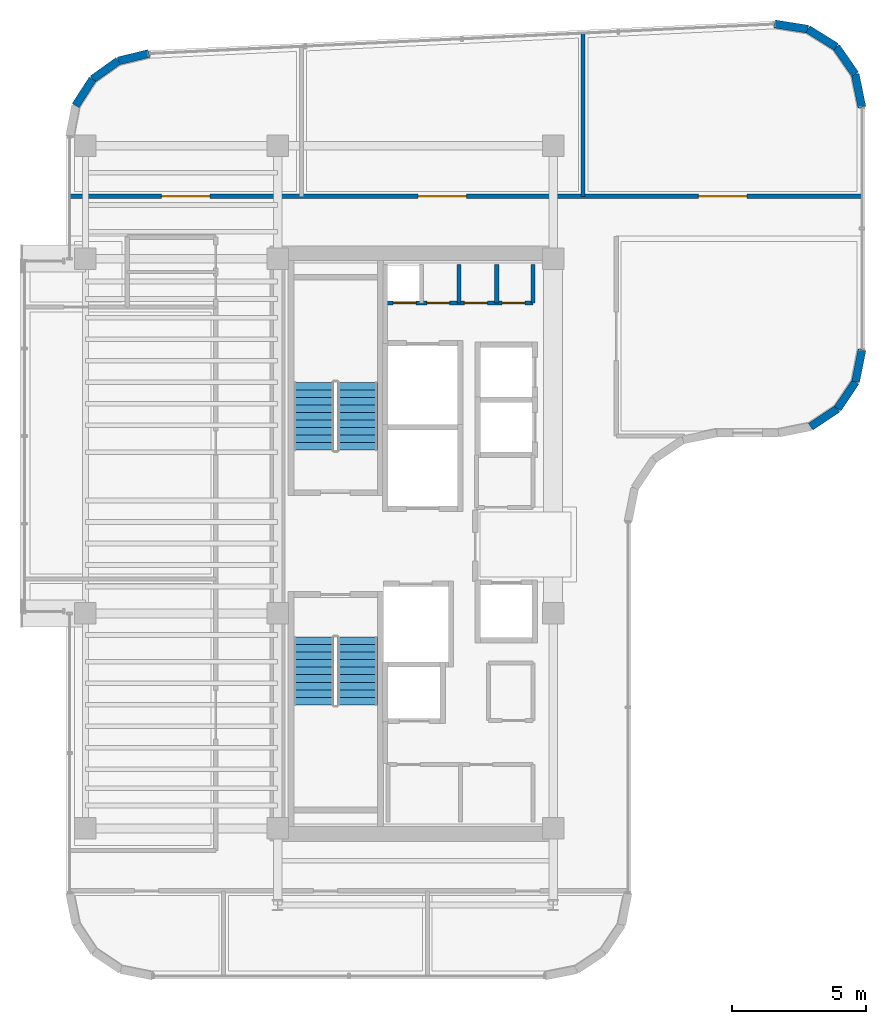
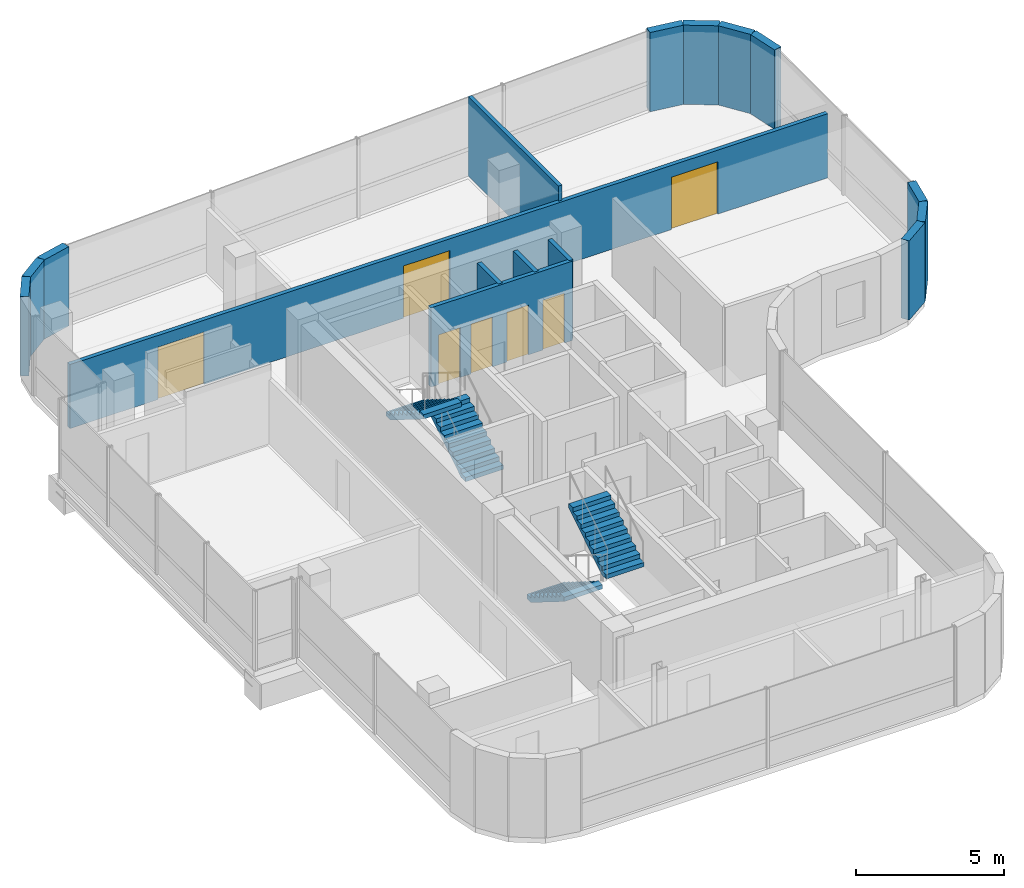
# One storey, part 16 of 18: 16 walls, 7 doors, 4 stair flights, 7 openings, 2 elements without a shape of their own.
"""IFC4 building model written with IfcOpenShell, lengths in metres."""

from ifc_helpers import new_model, si_unit, direction, frame, frame_2d, origin, place, context, subcontext, project, spatial, polyline, rectangle, outline, extrude, material, layer, layer_set, type_object, element, fill, aggregate, save


model = new_model("IFC4")

# Units and contexts
model_context = context("Model", 3, precision=1e-05, world=origin(), true_north=direction((0.0, 1.0)))
body_context = subcontext(model_context, "Body", "Model", "MODEL_VIEW")
ifc_project = project(units=[si_unit("LENGTHUNIT", "METRE"), si_unit("AREAUNIT", "SQUARE_METRE"), si_unit("VOLUMEUNIT", "CUBIC_METRE"), si_unit("PLANEANGLEUNIT", "RADIAN"), si_unit("MASSUNIT", "GRAM", prefix="KILO")], contexts=[model_context])

# Site, building, storey
site_placement = place(None, origin())
site = spatial("IfcSite", under=ifc_project, at=site_placement, CompositionType="ELEMENT")
building_placement = place(site_placement, origin())
building = spatial("IfcBuilding", under=site, at=building_placement, Name="Valdorenza Pilgrim Sanctuary Tower", CompositionType="ELEMENT")
storey_placement = place(building_placement, frame((0.0, 0.0, 273.0)))
storey = spatial("IfcBuildingStorey", under=building, at=storey_placement, Name="L71", CompositionType="ELEMENT", Elevation=273.0)

# Wall, openings, doors
ifc_material_1 = material(Name="Acoustic twin-stud gypsum partition", Category="gypsum")
ifc_layer_1 = layer(ifc_material_1, 0.159912109375, Name="Acoustic twin-stud gypsum partition")
ifc_layer_set_1 = layer_set([ifc_layer_1], Name="Acoustic twin-stud gypsum partition")
wall_type_1 = type_object("IfcWallType", Name="WAL-COR-160", PredefinedType="PARTITIONING", material=ifc_layer_set_1)
wall_1_placement = place(storey_placement, frame((-18.64990234375, 8.949951171875, 0.0), z_axis=(0.0, 0.0, 1.0), x_axis=(1.0, 0.0, 0.0)))
wall_1 = element("IfcWall", 1, at=wall_1_placement, inside=storey, type_object=wall_type_1, Name="L71 Core A North Service South Wall", PredefinedType="PARTITIONING", context=body_context, shape_type="SweptSolid", body=[
    extrude(rectangle(XDim=5.5, YDim=0.159912109375, at=frame_2d((2.75, 0.0))), origin(), (0.0, 0.0, 1.0), 3.260009765625),
])
opening_1_placement = place(wall_1_placement, frame((0.300048828125, 0.0, 0.0)))
opening_1 = element("IfcOpeningElement", 2, at=opening_1_placement, cuts=wall_1, Name="Opening DR-RS1", PredefinedType="OPENING", context=body_context, shape_type="SweptSolid", body=[
    extrude(rectangle(XDim=0.85009765625, YDim=2.050048828125, at=frame_2d((0.425048828125, 1.02490234375))), frame((0.0, 0.0947265625, 0.0), z_axis=(0.0, -1.0, 0.0), x_axis=(1.0, 0.0, 0.0)), (0.0, 0.0, 1.0), 0.189697265625),
])
opening_2_placement = place(wall_1_placement, frame((1.550048828125, 0.0, 0.0)))
opening_2 = element("IfcOpeningElement", 3, at=opening_2_placement, cuts=wall_1, Name="Opening DR-RS1", PredefinedType="OPENING", context=body_context, shape_type="SweptSolid", body=[
    extrude(rectangle(XDim=0.85009765625, YDim=2.050048828125, at=frame_2d((0.425048828125, 1.02490234375))), frame((0.0, 0.0947265625, 0.0), z_axis=(0.0, -1.0, 0.0), x_axis=(1.0, 0.0, 0.0)), (0.0, 0.0, 1.0), 0.189697265625),
])
opening_3_placement = place(wall_1_placement, frame((2.949951171875, 0.0, 0.0)))
opening_3 = element("IfcOpeningElement", 4, at=opening_3_placement, cuts=wall_1, Name="Opening DR-RS1", PredefinedType="OPENING", context=body_context, shape_type="SweptSolid", body=[
    extrude(rectangle(XDim=0.85009765625, YDim=2.050048828125, at=frame_2d((0.425048828125, 1.02490234375))), frame((0.0, 0.0947265625, 0.0), z_axis=(0.0, -1.0, 0.0), x_axis=(1.0, 0.0, 0.0)), (0.0, 0.0, 1.0), 0.189697265625),
])
opening_4_placement = place(wall_1_placement, frame((4.35009765625, 0.0, 0.0)))
opening_4 = element("IfcOpeningElement", 5, at=opening_4_placement, cuts=wall_1, Name="Opening DR-RS1", PredefinedType="OPENING", context=body_context, shape_type="SweptSolid", body=[
    extrude(rectangle(XDim=0.85009765625, YDim=2.050048828125, at=frame_2d((0.425048828125, 1.02490234375))), frame((0.0, 0.0947265625, 0.0), z_axis=(0.0, -1.0, 0.0), x_axis=(1.0, 0.0, 0.0)), (0.0, 0.0, 1.0), 0.189697265625),
])
ifc_material_2 = material(Name="Painted galvanized steel", Category="steel")
door_type_1 = type_object("IfcDoorType", Name="DR-RSR-850", OperationType="NOTDEFINED", PredefinedType="DOOR", material=ifc_material_2)
door_1_placement = place(opening_1_placement, origin())
door_1 = element("IfcDoor", 6, at=door_1_placement, inside=storey, type_object=door_type_1, Name="L71 Core Electrical and Telecom Riser Door", OperationType="SINGLE_SWING_LEFT", OverallHeight=2.050048828125, OverallWidth=0.85009765625, PredefinedType="DOOR", context=body_context, shape_type="SweptSolid", body=[
    extrude(rectangle(XDim=0.85009765625, YDim=2.050048828125, at=frame_2d((0.425048828125, 1.02490234375))), frame((0.0, 0.02490234375, 0.0), z_axis=(0.0, -1.0, 0.0), x_axis=(1.0, 0.0, 0.0)), (0.0, 0.0, 1.0), 0.050048828125),
])
fill(opening_1, door_1)
door_2_placement = place(opening_2_placement, origin())
door_2 = element("IfcDoor", 7, at=door_2_placement, inside=storey, type_object=door_type_1, Name="L71 Housekeeping and Clean Linen Room Door", OperationType="SINGLE_SWING_RIGHT", OverallHeight=2.050048828125, OverallWidth=0.85009765625, PredefinedType="DOOR", context=body_context, shape_type="SweptSolid", body=[
    extrude(rectangle(XDim=0.85009765625, YDim=2.050048828125, at=frame_2d((0.425048828125, 1.02490234375))), frame((0.0, 0.02490234375, 0.0), z_axis=(0.0, -1.0, 0.0), x_axis=(1.0, 0.0, 0.0)), (0.0, 0.0, 1.0), 0.050048828125),
])
fill(opening_2, door_2)
door_3_placement = place(opening_3_placement, origin())
door_3 = element("IfcDoor", 8, at=door_3_placement, inside=storey, type_object=door_type_1, Name="L71 Core IT Server Closet Door", OperationType="SINGLE_SWING_LEFT", OverallHeight=2.050048828125, OverallWidth=0.85009765625, PredefinedType="DOOR", context=body_context, shape_type="SweptSolid", body=[
    extrude(rectangle(XDim=0.85009765625, YDim=2.050048828125, at=frame_2d((0.425048828125, 1.02490234375))), frame((0.0, 0.02490234375, 0.0), z_axis=(0.0, -1.0, 0.0), x_axis=(1.0, 0.0, 0.0)), (0.0, 0.0, 1.0), 0.050048828125),
])
fill(opening_3, door_3)
door_4_placement = place(opening_4_placement, origin())
door_4 = element("IfcDoor", 9, at=door_4_placement, inside=storey, type_object=door_type_1, Name="L71 Core Staff Washroom Door", OperationType="SINGLE_SWING_RIGHT", OverallHeight=2.050048828125, OverallWidth=0.85009765625, PredefinedType="DOOR", context=body_context, shape_type="SweptSolid", body=[
    extrude(rectangle(XDim=0.85009765625, YDim=2.050048828125, at=frame_2d((0.425048828125, 1.02490234375))), frame((0.0, 0.02490234375, 0.0), z_axis=(0.0, -1.0, 0.0), x_axis=(1.0, 0.0, 0.0)), (0.0, 0.0, 1.0), 0.050048828125),
])
fill(opening_4, door_4)

# Walls
for number, where, z_axis, x_axis, name in (
    (10, (-13.14990234375, 8.949951171875, 0.0), (0.0, 0.0, 1.0), (0.0, 1.0, 0.0), "L71 Core A North Service East Wall"),
    (11, (-15.89990234375, 8.949951171875, 0.0), (0.0, 0.0, 1.0), (0.0, 1.0, 0.0), "L71 Core A Split D1"),
    (12, (-14.5, 8.949951171875, 0.0), (0.0, 0.0, 1.0), (0.0, 1.0, 0.0), "L71 Core A Split D2"),
):
    element("IfcWall", number, at=place(storey_placement, frame(where, z_axis=z_axis, x_axis=x_axis)), inside=storey, type_object=wall_type_1, Name=name, PredefinedType="PARTITIONING", context=body_context, shape_type="SweptSolid", body=[
        extrude(rectangle(XDim=1.429931640625, YDim=0.159912109375, at=frame_2d((0.71484375, 0.0))), origin(), (0.0, 0.0, 1.0), 3.260009765625),
    ])

# Wall, openings, doors
wall_2_placement = place(storey_placement, frame((-30.389892578125, 12.919921875, 0.0), z_axis=(0.0, 0.0, 1.0), x_axis=(1.0, 0.0, 0.0)))
wall_2 = element("IfcWall", 13, at=wall_2_placement, inside=storey, type_object=wall_type_1, Name="L71 North Corridor Wall", PredefinedType="PARTITIONING", context=body_context, shape_type="SweptSolid", body=[
    extrude(rectangle(XDim=29.47998046875, YDim=0.159912109375, at=frame_2d((14.739990234375, 0.0))), origin(), (0.0, 0.0, 1.0), 2.634033203125),
])
opening_5_placement = place(wall_2_placement, frame((3.4150390625, 0.0, 0.0)))
opening_5 = element("IfcOpeningElement", 14, at=opening_5_placement, cuts=wall_2, Name="Opening DR-HL1", PredefinedType="OPENING", context=body_context, shape_type="SweptSolid", body=[
    extrude(rectangle(XDim=1.800048828125, YDim=2.14990234375, at=frame_2d((0.89990234375, 1.074951171875))), frame((0.0, 0.0947265625, 0.0), z_axis=(0.0, -1.0, 0.0), x_axis=(1.0, 0.0, 0.0)), (0.0, 0.0, 1.0), 0.189697265625),
])
opening_6_placement = place(wall_2_placement, frame((12.969970703125, 0.0, 0.0)))
opening_6 = element("IfcOpeningElement", 15, at=opening_6_placement, cuts=wall_2, Name="Opening DR-HL1", PredefinedType="OPENING", context=body_context, shape_type="SweptSolid", body=[
    extrude(rectangle(XDim=1.800048828125, YDim=2.14990234375, at=frame_2d((0.89990234375, 1.074951171875))), frame((0.0, 0.0947265625, 0.0), z_axis=(0.0, -1.0, 0.0), x_axis=(1.0, 0.0, 0.0)), (0.0, 0.0, 1.0), 0.189697265625),
])
opening_7_placement = place(wall_2_placement, frame((23.39501953125, 0.0, 0.0)))
opening_7 = element("IfcOpeningElement", 16, at=opening_7_placement, cuts=wall_2, Name="Opening DR-HL1", PredefinedType="OPENING", context=body_context, shape_type="SweptSolid", body=[
    extrude(rectangle(XDim=1.800048828125, YDim=2.14990234375, at=frame_2d((0.89990234375, 1.074951171875))), frame((0.0, 0.0947265625, 0.0), z_axis=(0.0, -1.0, 0.0), x_axis=(1.0, 0.0, 0.0)), (0.0, 0.0, 1.0), 0.189697265625),
])
ifc_material_3 = material(Name="Acoustic oak and vision-glass double door", Category="glass")
door_type_2 = type_object("IfcDoorType", Name="DR-HALL-1800", OperationType="NOTDEFINED", PredefinedType="DOOR", material=ifc_material_3)
door_5_placement = place(opening_5_placement, frame((1.800048828125, 0.0, 0.0), z_axis=(0.0, 0.0, 1.0), x_axis=(-1.0, 0.0, 0.0)))
door_5 = element("IfcDoor", 17, at=door_5_placement, inside=storey, type_object=door_type_2, Name="L71 Sacred Art Exhibition Gallery L71-N1 Door", OperationType="DOUBLE_DOOR_SINGLE_SWING", OverallHeight=2.14990234375, OverallWidth=1.800048828125, PredefinedType="DOOR", context=body_context, shape_type="SweptSolid", body=[
    extrude(rectangle(XDim=1.800048828125, YDim=2.14990234375, at=frame_2d((0.89990234375, 1.074951171875))), frame((0.0, 0.02490234375, 0.0), z_axis=(0.0, -1.0, 0.0), x_axis=(1.0, 0.0, 0.0)), (0.0, 0.0, 1.0), 0.050048828125),
])
fill(opening_5, door_5)
door_6_placement = place(opening_6_placement, origin())
door_6 = element("IfcDoor", 18, at=door_6_placement, inside=storey, type_object=door_type_2, Name="L71 Sacred Art Exhibition Gallery L71-N2 Door", OperationType="DOUBLE_DOOR_SINGLE_SWING", OverallHeight=2.14990234375, OverallWidth=1.800048828125, PredefinedType="DOOR", context=body_context, shape_type="SweptSolid", body=[
    extrude(rectangle(XDim=1.800048828125, YDim=2.14990234375, at=frame_2d((0.89990234375, 1.074951171875))), frame((0.0, 0.02490234375, 0.0), z_axis=(0.0, -1.0, 0.0), x_axis=(1.0, 0.0, 0.0)), (0.0, 0.0, 1.0), 0.050048828125),
])
fill(opening_6, door_6)
door_7_placement = place(opening_7_placement, frame((1.800048828125, 0.0, 0.0), z_axis=(0.0, 0.0, 1.0), x_axis=(-1.0, 0.0, 0.0)))
door_7 = element("IfcDoor", 19, at=door_7_placement, inside=storey, type_object=door_type_2, Name="L71 Sacred Art Exhibition Gallery L71-N3 Door", OperationType="DOUBLE_DOOR_SINGLE_SWING", OverallHeight=2.14990234375, OverallWidth=1.800048828125, PredefinedType="DOOR", context=body_context, shape_type="SweptSolid", body=[
    extrude(rectangle(XDim=1.800048828125, YDim=2.14990234375, at=frame_2d((0.89990234375, 1.074951171875))), frame((0.0, 0.02490234375, 0.0), z_axis=(0.0, -1.0, 0.0), x_axis=(1.0, 0.0, 0.0)), (0.0, 0.0, 1.0), 0.050048828125),
])
fill(opening_7, door_7)

# Walls
ifc_material_4 = material(Name="Honed travertine limestone", Category="masonry")
ifc_layer_2 = layer(ifc_material_4, 0.300048828125, Name="Honed travertine limestone")
ifc_layer_set_2 = layer_set([ifc_layer_2], Name="Honed travertine limestone")
wall_type_2 = type_object("IfcWallType", Name="WAL-EXT-300", PredefinedType="SOLIDWALL", material=ifc_layer_set_2)
wall_3_placement = place(storey_placement, frame((-30.16650390625, 16.29541015625, 0.0), z_axis=(0.0, 0.0, 1.0), x_axis=(0.540842020947, 0.841124193195, 0.0)))
element("IfcWall", 20, at=wall_3_placement, inside=storey, type_object=wall_type_2, Name="L71 Rounded Wind-Corner Stone Pier 3", PredefinedType="SOLIDWALL", context=body_context, shape_type="SweptSolid", body=[
    extrude(rectangle(XDim=1.169189453125, YDim=0.300048828125, at=frame_2d((0.58447265625, 0.0))), origin(), (0.0, 0.0, 1.0), 3.260009765625),
])
wall_4_placement = place(storey_placement, frame((-29.5341796875, 17.27880859375, 0.0), z_axis=(0.0, 0.0, 1.0), x_axis=(0.81466371606, 0.579933642527, 0.0)))
element("IfcWall", 21, at=wall_4_placement, inside=storey, type_object=wall_type_2, Name="L71 Rounded Wind-Corner Stone Pier 4", PredefinedType="SOLIDWALL", context=body_context, shape_type="SweptSolid", body=[
    extrude(rectangle(XDim=1.1689453125, YDim=0.300048828125, at=frame_2d((0.58447265625, 0.0))), origin(), (0.0, 0.0, 1.0), 3.260009765625),
])
wall_5_placement = place(storey_placement, frame((-28.581787109375, 17.956787109375, 0.0), z_axis=(0.0, 0.0, 1.0), x_axis=(0.971929016595, 0.235274279725, 0.0)))
element("IfcWall", 22, at=wall_5_placement, inside=storey, type_object=wall_type_2, Name="L71 Rounded Wind-Corner Stone Pier 5", PredefinedType="SOLIDWALL", context=body_context, shape_type="SweptSolid", body=[
    extrude(rectangle(XDim=1.179931640625, YDim=0.300048828125, at=frame_2d((0.58984375, 0.0))), origin(), (0.0, 0.0, 1.0), 3.260009765625),
])
wall_6_placement = place(storey_placement, frame((-4.15673828125, 19.331787109375, 0.0), z_axis=(0.0, 0.0, 1.0), x_axis=(0.987969236552, -0.15465053387, 0.0)))
element("IfcWall", 23, at=wall_6_placement, inside=storey, type_object=wall_type_2, Name="L71 Rounded Wind-Corner Stone Pier 7", PredefinedType="SOLIDWALL", context=body_context, shape_type="SweptSolid", body=[
    extrude(rectangle(XDim=1.251953125, YDim=0.300048828125, at=frame_2d((0.6259765625, 0.0))), origin(), (0.0, 0.0, 1.0), 3.260009765625),
])
for number, where, z_axis, x_axis, name in (
    (24, (-2.919921875, 19.13818359375, 0.0), (0.0, 0.0, 1.0), (0.847489288141, -0.530812496543, 0.0), "L71 Rounded Wind-Corner Stone Pier 8"),
    (25, (-1.86865234375, 18.479736328125, 0.0), (0.0, 0.0, 1.0), (0.570181861951, -0.821518499063, 0.0), "L71 Rounded Wind-Corner Stone Pier 9"),
):
    element("IfcWall", number, at=place(storey_placement, frame(where, z_axis=z_axis, x_axis=x_axis)), inside=storey, type_object=wall_type_2, Name=name, PredefinedType="SOLIDWALL", context=body_context, shape_type="SweptSolid", body=[
        extrude(rectangle(XDim=1.240478515625, YDim=0.300048828125, at=frame_2d((0.6201171875, 0.0))), origin(), (0.0, 0.0, 1.0), 3.260009765625),
    ])
wall_7_placement = place(storey_placement, frame((-1.161376953125, 17.460693359375, 0.0), z_axis=(0.0, 0.0, 1.0), x_axis=(0.20087696073, -0.979616479367, 0.0)))
element("IfcWall", 26, at=wall_7_placement, inside=storey, type_object=wall_type_2, Name="L71 Rounded Wind-Corner Stone Pier 10", PredefinedType="SOLIDWALL", context=body_context, shape_type="SweptSolid", body=[
    extrude(rectangle(XDim=1.251953125, YDim=0.300048828125, at=frame_2d((0.6259765625, 0.0))), origin(), (0.0, 0.0, 1.0), 3.260009765625),
])
wall_8_placement = place(storey_placement, frame((-0.909912109375, 7.210693359375, 0.0), z_axis=(0.0, 0.0, 1.0), x_axis=(-0.195189223115, -0.980765602568, 0.0)))
element("IfcWall", 27, at=wall_8_placement, inside=storey, type_object=wall_type_2, Name="L71 Rounded Wind-Corner Stone Pier 12", PredefinedType="SOLIDWALL", context=body_context, shape_type="SweptSolid", body=[
    extrude(rectangle(XDim=1.2158203125, YDim=0.300048828125, at=frame_2d((0.60791015625, 0.0))), origin(), (0.0, 0.0, 1.0), 3.260009765625),
])
for number, where, z_axis, x_axis, name in (
    (28, (-1.147216796875, 6.018310546875, 0.0), (0.0, 0.0, 1.0), (-0.555635100982, -0.831426265255, 0.0), "L71 Rounded Wind-Corner Stone Pier 13"),
    (29, (-1.816650390625, 5.0166015625, 0.0), (0.0, 0.0, 1.0), (-0.831426265255, -0.555635100982, 0.0), "L71 Rounded Wind-Corner Stone Pier 14"),
):
    element("IfcWall", number, at=place(storey_placement, frame(where, z_axis=z_axis, x_axis=x_axis)), inside=storey, type_object=wall_type_2, Name=name, PredefinedType="SOLIDWALL", context=body_context, shape_type="SweptSolid", body=[
        extrude(rectangle(XDim=1.204833984375, YDim=0.300048828125, at=frame_2d((0.6025390625, 0.0))), origin(), (0.0, 0.0, 1.0), 3.260009765625),
    ])
ifc_layer_3 = layer(ifc_material_1, 0.14990234375, Name="Acoustic twin-stud gypsum partition")
ifc_layer_set_3 = layer_set([ifc_layer_3], Name="Acoustic twin-stud gypsum partition")
wall_type_3 = type_object("IfcWallType", Name="WAL-UNT-150", PredefinedType="PARTITIONING", material=ifc_layer_set_3)
wall_9_placement = place(storey_placement, frame((-11.280029296875, 12.919921875, 0.0), z_axis=(0.0, 0.0, 1.0), x_axis=(0.0, 1.0, 0.0)))
element("IfcWall", 30, at=wall_9_placement, inside=storey, type_object=wall_type_3, Name="L71 Sacred Art Exhibition Gallery L71-N3 Demising Wall", PredefinedType="PARTITIONING", context=body_context, shape_type="SweptSolid", body=[
    extrude(rectangle(XDim=6.075927734375, YDim=0.14990234375, at=frame_2d((3.0380859375, 0.0))), origin(), (0.0, 0.0, 1.0), 3.260009765625),
])

# Stair, stair flights
ifc_material_5 = material(Name="Concrete C40/50", Category="concrete")
stair_type = type_object("IfcStairType", Name="STR-DOG-CORE", PredefinedType="HALF_TURN_STAIR", material=ifc_material_5)
stair_1_placement = place(storey_placement, origin())
stair_1 = element("IfcStair", 31, at=stair_1_placement, inside=storey, type_object=stair_type, Name="L71 ST-A1", PredefinedType="HALF_TURN_STAIR")
stair_flight_type = type_object("IfcStairFlightType", Name="STF-RC-1400", PredefinedType="STRAIGHT", material=ifc_material_5)
stair_flight_1_placement = place(storey_placement, frame((-19.679931640625, 3.47998046875, 0.0), z_axis=(0.0, 0.0, 1.0), x_axis=(0.0, 1.0, 0.0)))
stair_flight_1 = element("IfcStairFlight", 32, at=stair_flight_1_placement, type_object=stair_flight_type, Name="ST-A1 flight 1", NumberOfRisers=10, NumberOfTreads=9, PredefinedType="STRAIGHT", RiserHeight=0.175, TreadLength=0.28, context=body_context, shape_type="SweptSolid", body=[
    extrude(outline(polyline([(0.0, 0.0), (0.0, 0.175048828125), (0.280029296875, 0.175048828125), (0.280029296875, 0.35009765625), (0.56005859375, 0.35009765625), (0.56005859375, 0.52490234375), (0.840087890625, 0.52490234375), (0.840087890625, 0.699951171875), (1.1201171875, 0.699951171875), (1.1201171875, 0.875), (1.39990234375, 0.875), (1.39990234375, 1.050048828125), (1.679931640625, 1.050048828125), (1.679931640625, 1.22509765625), (1.9599609375, 1.22509765625), (1.9599609375, 1.39990234375), (2.239990234375, 1.39990234375), (2.239990234375, 1.574951171875), (2.52001953125, 1.574951171875), (2.52001953125, 1.75), (2.52001953125, 1.398193359375), (0.28271484375, 0.0), (0.0, 0.0)])), frame((0.0, 0.739990234375, 0.0), z_axis=(0.0, -1.0, 0.0), x_axis=(1.0, 0.0, 0.0)), (0.0, 0.0, 1.0), 1.47998046875),
])
stair_flight_2_placement = place(storey_placement, frame((-21.31005859375, 6.0, 1.75), z_axis=(0.0, 0.0, 1.0), x_axis=(0.0, -1.0, 0.0)))
stair_flight_2 = element("IfcStairFlight", 33, at=stair_flight_2_placement, type_object=stair_flight_type, Name="ST-A1 flight 2", NumberOfRisers=10, NumberOfTreads=9, PredefinedType="STRAIGHT", RiserHeight=0.175, TreadLength=0.28, context=body_context, shape_type="SweptSolid", body=[
    extrude(outline(polyline([(0.0, 0.0), (0.0, 0.175048828125), (0.280029296875, 0.175048828125), (0.280029296875, 0.35009765625), (0.56005859375, 0.35009765625), (0.56005859375, 0.52490234375), (0.840087890625, 0.52490234375), (0.840087890625, 0.699951171875), (1.1201171875, 0.699951171875), (1.1201171875, 0.875), (1.39990234375, 0.875), (1.39990234375, 1.050048828125), (1.679931640625, 1.050048828125), (1.679931640625, 1.22509765625), (1.9599609375, 1.22509765625), (1.9599609375, 1.39990234375), (2.239990234375, 1.39990234375), (2.239990234375, 1.574951171875), (2.52001953125, 1.574951171875), (2.52001953125, 1.75), (2.52001953125, 1.398193359375), (0.28271484375, 0.0), (0.0, 0.0)])), frame((0.0, 0.739990234375, 0.0), z_axis=(0.0, -1.0, 0.0), x_axis=(1.0, 0.0, 0.0)), (0.0, 0.0, 1.0), 1.47998046875),
])
aggregate(stair_1, [stair_flight_1, stair_flight_2])

stair_2_placement = place(storey_placement, origin())
stair_2 = element("IfcStair", 34, at=stair_2_placement, inside=storey, type_object=stair_type, Name="L71 ST-A2", PredefinedType="HALF_TURN_STAIR")
stair_flight_3_placement = place(storey_placement, frame((-21.31005859375, -3.47998046875, 0.0), z_axis=(0.0, 0.0, 1.0), x_axis=(0.0, -1.0, 0.0)))
stair_flight_3 = element("IfcStairFlight", 35, at=stair_flight_3_placement, type_object=stair_flight_type, Name="ST-A2 flight 1", NumberOfRisers=10, NumberOfTreads=9, PredefinedType="STRAIGHT", RiserHeight=0.175, TreadLength=0.28, context=body_context, shape_type="SweptSolid", body=[
    extrude(outline(polyline([(0.0, 0.0), (0.0, 0.175048828125), (0.280029296875, 0.175048828125), (0.280029296875, 0.35009765625), (0.56005859375, 0.35009765625), (0.56005859375, 0.52490234375), (0.840087890625, 0.52490234375), (0.840087890625, 0.699951171875), (1.1201171875, 0.699951171875), (1.1201171875, 0.875), (1.39990234375, 0.875), (1.39990234375, 1.050048828125), (1.679931640625, 1.050048828125), (1.679931640625, 1.22509765625), (1.9599609375, 1.22509765625), (1.9599609375, 1.39990234375), (2.239990234375, 1.39990234375), (2.239990234375, 1.574951171875), (2.52001953125, 1.574951171875), (2.52001953125, 1.75), (2.52001953125, 1.398193359375), (0.28271484375, 0.0), (0.0, 0.0)])), frame((0.0, 0.739990234375, 0.0), z_axis=(0.0, -1.0, 0.0), x_axis=(1.0, 0.0, 0.0)), (0.0, 0.0, 1.0), 1.47998046875),
])
stair_flight_4_placement = place(storey_placement, frame((-19.679931640625, -6.0, 1.75), z_axis=(0.0, 0.0, 1.0), x_axis=(0.0, 1.0, 0.0)))
stair_flight_4 = element("IfcStairFlight", 36, at=stair_flight_4_placement, type_object=stair_flight_type, Name="ST-A2 flight 2", NumberOfRisers=10, NumberOfTreads=9, PredefinedType="STRAIGHT", RiserHeight=0.175, TreadLength=0.28, context=body_context, shape_type="SweptSolid", body=[
    extrude(outline(polyline([(0.0, 0.0), (0.0, 0.175048828125), (0.280029296875, 0.175048828125), (0.280029296875, 0.35009765625), (0.56005859375, 0.35009765625), (0.56005859375, 0.52490234375), (0.840087890625, 0.52490234375), (0.840087890625, 0.699951171875), (1.1201171875, 0.699951171875), (1.1201171875, 0.875), (1.39990234375, 0.875), (1.39990234375, 1.050048828125), (1.679931640625, 1.050048828125), (1.679931640625, 1.22509765625), (1.9599609375, 1.22509765625), (1.9599609375, 1.39990234375), (2.239990234375, 1.39990234375), (2.239990234375, 1.574951171875), (2.52001953125, 1.574951171875), (2.52001953125, 1.75), (2.52001953125, 1.398193359375), (0.28271484375, 0.0), (0.0, 0.0)])), frame((0.0, 0.739990234375, 0.0), z_axis=(0.0, -1.0, 0.0), x_axis=(1.0, 0.0, 0.0)), (0.0, 0.0, 1.0), 1.47998046875),
])
aggregate(stair_2, [stair_flight_3, stair_flight_4])

save(model, "model.ifc")
